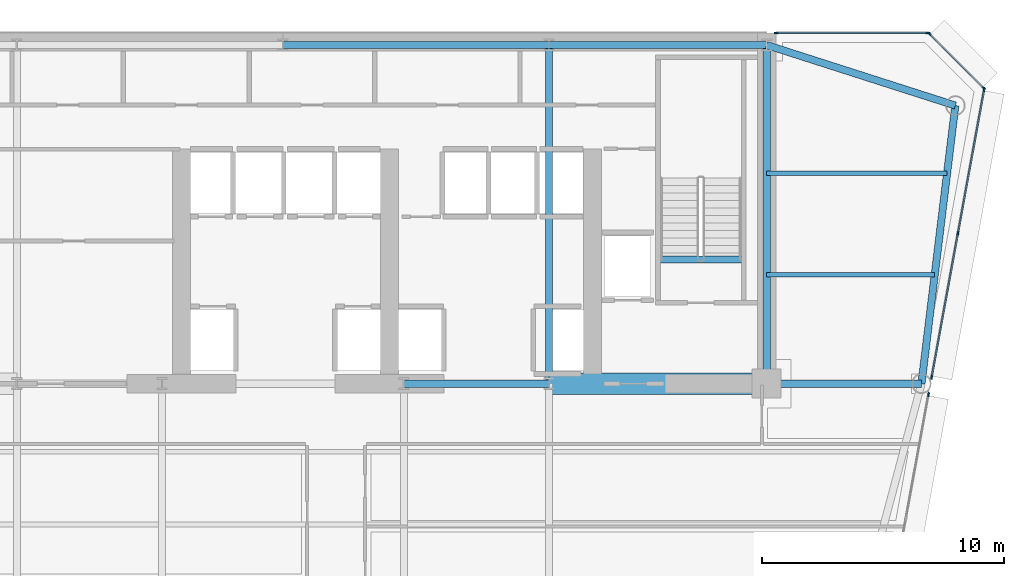
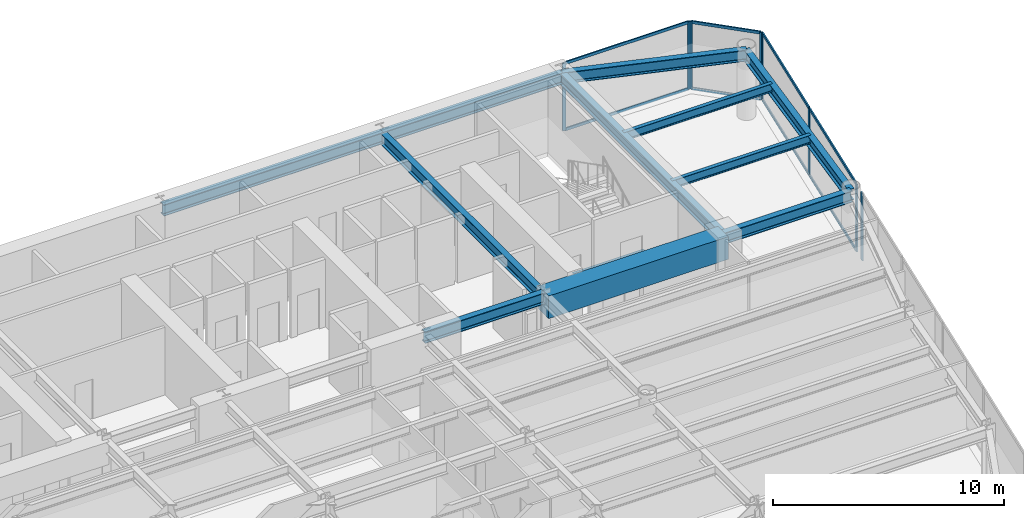
# One storey, part 9 of 17: 16 members, 12 beams, 4 elements without a shape of their own.
"""IFC4 building model written with IfcOpenShell, lengths in metres."""

from ifc_helpers import new_model, si_unit, direction, frame, origin, origin_2d, place, context, subcontext, project, spatial, rectangle, i_section, extrude, source, transform, mapped, material, layer, layer_set, material_profile, profile_set, type_object, element, aggregate, save


model = new_model("IFC4")

# Units and contexts
model_context = context("Model", 3, precision=1e-05, world=origin(), true_north=direction((0.0, 1.0)))
body_context = subcontext(model_context, "Body", "Model", "MODEL_VIEW")
ifc_project = project(units=[si_unit("LENGTHUNIT", "METRE"), si_unit("AREAUNIT", "SQUARE_METRE"), si_unit("VOLUMEUNIT", "CUBIC_METRE"), si_unit("PLANEANGLEUNIT", "RADIAN"), si_unit("MASSUNIT", "GRAM", prefix="KILO")], contexts=[model_context])

# Site, building, storey
site_placement = place(None, origin())
site = spatial("IfcSite", under=ifc_project, at=site_placement, CompositionType="ELEMENT")
building_placement = place(site_placement, origin())
building = spatial("IfcBuilding", under=site, at=building_placement, Name="Vaeldorn Concourse Tower", CompositionType="ELEMENT")
storey_placement = place(building_placement, frame((0.0, 0.0, 157.60009765625)))
storey = spatial("IfcBuildingStorey", under=building, at=storey_placement, Name="L40", CompositionType="ELEMENT", Elevation=157.60009765625)

# Beams
ifc_material_1 = material(Name="Concrete C60/75", Category="concrete")
ifc_material_profile_1 = material_profile(ifc_material_1, rectangle(XDim=0.89990234375, YDim=1.199951171875, at=origin_2d()), Name="RC 900x1200")
ifc_profile_set_1 = profile_set([ifc_material_profile_1], Name="Concrete C60/75")
beam_type_1 = type_object("IfcBeamType", Name="BM-CB-RC900", PredefinedType="BEAM", material=ifc_profile_set_1)
shared_shape_1 = source(origin(), body_context, "Body", "SweptSolid", [
    extrude(rectangle(XDim=0.89990234375, YDim=1.199951171875, at=origin_2d()), origin(), (0.0, 0.0, 1.0), 9.0),
])
beam_1_placement = place(storey_placement, frame((45.0, 36.5, 2.97998046875), z_axis=(1.0, 0.0, 0.0), x_axis=(0.0, 1.0, 0.0)))
element("IfcBeam", 1, at=beam_1_placement, inside=storey, type_object=beam_type_1, Name="Core Coupling Beam L40-2", PredefinedType="BEAM", context=body_context, shape_type="MappedRepresentation", body=[
    mapped(shared_shape_1, transform((0.0, 0.0, 0.0), scale=1.0)),
])
ifc_material_2 = material(Name="Steel S355", Category="steel")
ifc_material_profile_2 = material_profile(ifc_material_2, i_section(OverallWidth=0.300048828125, OverallDepth=0.340087890625, WebThickness=0.011962890625, FlangeThickness=0.021484375, FilletRadius=0.027099609375, at=origin_2d()), Name="HEB 340")
ifc_profile_set_2 = profile_set([ifc_material_profile_2], Name="Steel S355")
beam_type_2 = type_object("IfcBeamType", Name="BM-ST-TRIM", PredefinedType="BEAM", material=ifc_profile_set_2)
shared_shape_2 = source(origin(), body_context, "Body", "SweptSolid", [
    extrude(i_section(OverallWidth=0.300048828125, OverallDepth=0.340087890625, WebThickness=0.011962890625, FlangeThickness=0.021484375, FilletRadius=0.027099609375, at=origin_2d()), origin(), (0.0, 0.0, 1.0), 3.590087890625),
])
beam_2_placement = place(storey_placement, frame((49.47998046875, 41.639892578125, -0.39013671875), z_axis=(1.0, 0.0, 0.0), x_axis=(0.0, 1.0, 0.0)))
element("IfcBeam", 2, at=beam_2_placement, inside=storey, type_object=beam_type_2, Name="Stair Landing Trimmer Beam ST-2 L40", PredefinedType="BEAM", context=body_context, shape_type="MappedRepresentation", body=[
    mapped(shared_shape_2, transform((0.0, 0.0, 0.0), scale=1.0)),
])
ifc_material_profile_3 = material_profile(ifc_material_2, i_section(OverallWidth=0.18994140625, OverallDepth=0.449951171875, WebThickness=0.009521484375, FlangeThickness=0.0146484375, FilletRadius=0.02099609375, at=origin_2d()), Name="IPE 450")
ifc_profile_set_3 = profile_set([ifc_material_profile_3], Name="Steel S355")
beam_type_3 = type_object("IfcBeamType", Name="BM-JS-IPE450", PredefinedType="JOIST", material=ifc_profile_set_3)
shared_shape_3 = source(origin(), body_context, "Body", "SweptSolid", [
    extrude(i_section(OverallWidth=0.18994140625, OverallDepth=0.449951171875, WebThickness=0.009521484375, FlangeThickness=0.0146484375, FilletRadius=0.02099609375, at=origin_2d()), origin(), (0.0, 0.0, 1.0), 6.94775390625),
])
beam_3_placement = place(storey_placement, frame((54.0, 41.0, 3.35498046875), z_axis=(1.0, 0.0, 0.0), x_axis=(0.0, 1.0, 0.0)))
element("IfcBeam", 3, at=beam_3_placement, inside=storey, type_object=beam_type_3, Name="Beam JS-L40-NE-410", PredefinedType="JOIST", context=body_context, shape_type="MappedRepresentation", body=[
    mapped(shared_shape_3, transform((0.0, 0.0, 0.0), scale=1.0)),
])
shared_shape_4 = source(origin(), body_context, "Body", "SweptSolid", [
    extrude(i_section(OverallWidth=0.18994140625, OverallDepth=0.449951171875, WebThickness=0.009521484375, FlangeThickness=0.0146484375, FilletRadius=0.02099609375, at=origin_2d()), origin(), (0.0, 0.0, 1.0), 7.458984375),
])
beam_4_placement = place(storey_placement, frame((54.0, 45.199951171875, 3.35498046875), z_axis=(1.0, 0.0, 0.0), x_axis=(0.0, 1.0, 0.0)))
element("IfcBeam", 4, at=beam_4_placement, inside=storey, type_object=beam_type_3, Name="Beam JS-L40-NE-452", PredefinedType="JOIST", context=body_context, shape_type="MappedRepresentation", body=[
    mapped(shared_shape_4, transform((0.0, 0.0, 0.0), scale=1.0)),
])
ifc_material_profile_4 = material_profile(ifc_material_2, i_section(OverallWidth=0.300048828125, OverallDepth=0.60009765625, WebThickness=0.015380859375, FlangeThickness=0.030029296875, FilletRadius=0.027099609375, at=origin_2d()), Name="HEB 600")
ifc_profile_set_4 = profile_set([ifc_material_profile_4], Name="Steel S355")
beam_type_4 = type_object("IfcBeamType", Name="BM-PG-HEB600", PredefinedType="BEAM", material=ifc_profile_set_4)
shared_shape_5 = source(origin(), body_context, "Body", "SweptSolid", [
    extrude(i_section(OverallWidth=0.300048828125, OverallDepth=0.60009765625, WebThickness=0.015380859375, FlangeThickness=0.030029296875, FilletRadius=0.027099609375, at=origin_2d()), origin(), (0.0, 0.0, 1.0), 6.0),
])
beam_5_placement = place(storey_placement, frame((39.0, 36.5, 3.27978515625), z_axis=(1.0, 0.0, 0.0), x_axis=(0.0, 1.0, 0.0)))
element("IfcBeam", 5, at=beam_5_placement, inside=storey, type_object=beam_type_4, Name="Beam BM-L40-C-FC4-C-FC5", PredefinedType="BEAM", context=body_context, shape_type="MappedRepresentation", body=[
    mapped(shared_shape_5, transform((0.0, 0.0, 0.0), scale=1.0)),
])
shared_shape_6 = source(origin(), body_context, "Body", "SweptSolid", [
    extrude(i_section(OverallWidth=0.300048828125, OverallDepth=0.60009765625, WebThickness=0.015380859375, FlangeThickness=0.030029296875, FilletRadius=0.027099609375, at=origin_2d()), origin(), (0.0, 0.0, 1.0), 9.0),
])
beam_6_placement = place(storey_placement, frame((45.0, 50.5, 3.27978515625), z_axis=(1.0, 0.0, 0.0), x_axis=(0.0, 1.0, 0.0)))
element("IfcBeam", 6, at=beam_6_placement, inside=storey, type_object=beam_type_4, Name="Beam BM-L40-C-HC4-C-HC5", PredefinedType="BEAM", context=body_context, shape_type="MappedRepresentation", body=[
    mapped(shared_shape_6, transform((0.0, 0.0, 0.0), scale=1.0)),
])
shared_shape_7 = source(origin(), body_context, "Body", "SweptSolid", [
    extrude(i_section(OverallWidth=0.300048828125, OverallDepth=0.60009765625, WebThickness=0.015380859375, FlangeThickness=0.030029296875, FilletRadius=0.027099609375, at=origin_2d()), origin(), (0.0, 0.0, 1.0), 11.0),
])
beam_7_placement = place(storey_placement, frame((34.0, 50.5, 3.27978515625), z_axis=(1.0, 0.0, 0.0), x_axis=(0.0, 1.0, 0.0)))
element("IfcBeam", 7, at=beam_7_placement, inside=storey, type_object=beam_type_4, Name="Beam BM-L40-C-HC3-C-HC4", PredefinedType="BEAM", context=body_context, shape_type="MappedRepresentation", body=[
    mapped(shared_shape_7, transform((0.0, 0.0, 0.0), scale=1.0)),
])
shared_shape_8 = source(origin(), body_context, "Body", "SweptSolid", [
    extrude(i_section(OverallWidth=0.300048828125, OverallDepth=0.60009765625, WebThickness=0.015380859375, FlangeThickness=0.030029296875, FilletRadius=0.027099609375, at=origin_2d()), origin(), (0.0, 0.0, 1.0), 14.0),
])
for number, where, z_axis, x_axis, name in (
    (8, (45.0, 36.5, 3.27978515625), (0.0, 1.0, 0.0), (-1.0, 0.0, 0.0), "Beam BM-L40-C-FC5-C-HC4"),
    (9, (54.0, 36.5, 3.27978515625), (0.0, 1.0, 0.0), (-1.0, 0.0, 0.0), "Beam BM-L40-C-FC6-C-HC5"),
):
    element("IfcBeam", number, at=place(storey_placement, frame(where, z_axis=z_axis, x_axis=x_axis)), inside=storey, type_object=beam_type_4, Name=name, PredefinedType="BEAM", context=body_context, shape_type="MappedRepresentation", body=[
        mapped(shared_shape_8, transform((0.0, 0.0, 0.0), scale=1.0)),
    ])
shared_shape_9 = source(origin(), body_context, "Body", "SweptSolid", [
    extrude(i_section(OverallWidth=0.300048828125, OverallDepth=0.60009765625, WebThickness=0.015380859375, FlangeThickness=0.030029296875, FilletRadius=0.027099609375, at=origin_2d()), origin(), (0.0, 0.0, 1.0), 8.19091796875),
])
beam_8_placement = place(storey_placement, frame((54.0, 50.5, 3.27978515625), z_axis=(0.952282843383, -0.305216949396, 0.0), x_axis=(0.305216949396, 0.952282843383, 0.0)))
element("IfcBeam", 10, at=beam_8_placement, inside=storey, type_object=beam_type_4, Name="Beam BM-L40-C-HC5-C-NE1", PredefinedType="BEAM", context=body_context, shape_type="MappedRepresentation", body=[
    mapped(shared_shape_9, transform((0.0, 0.0, 0.0), scale=1.0)),
])
shared_shape_10 = source(origin(), body_context, "Body", "SweptSolid", [
    extrude(i_section(OverallWidth=0.300048828125, OverallDepth=0.60009765625, WebThickness=0.015380859375, FlangeThickness=0.030029296875, FilletRadius=0.027099609375, at=origin_2d()), origin(), (0.0, 0.0, 1.0), 11.5849609375),
])
beam_9_placement = place(storey_placement, frame((61.800048828125, 48.0, 3.27978515625), z_axis=(-0.120859382899, -0.992669637677, 0.0), x_axis=(0.992669637677, -0.120859382899, 0.0)))
element("IfcBeam", 11, at=beam_9_placement, inside=storey, type_object=beam_type_4, Name="Beam BM-L40-C-NE1-C-NE2", PredefinedType="BEAM", context=body_context, shape_type="MappedRepresentation", body=[
    mapped(shared_shape_10, transform((0.0, 0.0, 0.0), scale=1.0)),
])
shared_shape_11 = source(origin(), body_context, "Body", "SweptSolid", [
    extrude(i_section(OverallWidth=0.300048828125, OverallDepth=0.60009765625, WebThickness=0.015380859375, FlangeThickness=0.030029296875, FilletRadius=0.027099609375, at=origin_2d()), origin(), (0.0, 0.0, 1.0), 6.39990234375),
])
beam_10_placement = place(storey_placement, frame((54.0, 36.5, 3.27978515625), z_axis=(1.0, 0.0, 0.0), x_axis=(0.0, 1.0, 0.0)))
element("IfcBeam", 12, at=beam_10_placement, inside=storey, type_object=beam_type_4, Name="Beam BM-L40-C-FC6-C-NE2", PredefinedType="BEAM", context=body_context, shape_type="MappedRepresentation", body=[
    mapped(shared_shape_11, transform((0.0, 0.0, 0.0), scale=1.0)),
])

# Curtain wall, member
ifc_material_3 = material(Name="Anodised Bronze Aluminium", Category="aluminium")
ifc_layer = layer(ifc_material_3, 0.18994140625)
ifc_layer_set = layer_set([ifc_layer], Name="Anodised Bronze Aluminium")
curtain_wall_type = type_object("IfcCurtainWallType", Name="CW-SYS-03", PredefinedType="NOTDEFINED", material=ifc_layer_set)
curtain_wall_1_placement = place(storey_placement, origin())
curtain_wall_1 = element("IfcCurtainWall", 13, at=curtain_wall_1_placement, inside=storey, type_object=curtain_wall_type, Name="Unitised Curtain Wall CW-L40-E07-1", PredefinedType="NOTDEFINED")
ifc_material_profile_5 = material_profile(ifc_material_3, rectangle(XDim=0.06494140625, YDim=0.169921875, at=origin_2d()), Name="CWM 65x170")
ifc_profile_set_5 = profile_set([ifc_material_profile_5], Name="Anodised Bronze Aluminium")
member_type_1 = type_object("IfcMemberType", Name="CWM-BRONZE-170", PredefinedType="MULLION", material=ifc_profile_set_5)
shared_shape_12 = source(origin(), body_context, "Body", "SweptSolid", [
    extrude(rectangle(XDim=0.06494140625, YDim=0.169921875, at=origin_2d()), origin(), (0.0, 0.0, 1.0), 3.579833984375),
])
member_1_placement = place(storey_placement, frame((60.69287109375, 36.051513671875, 0.0), z_axis=(0.0, 0.0, 1.0), x_axis=(-0.983767841325, 0.179445909331, 0.0)))
member_1 = element("IfcMember", 14, at=member_1_placement, type_object=member_type_1, Name="CW-03 mullion 7", PredefinedType="MULLION", context=body_context, shape_type="MappedRepresentation", body=[
    mapped(shared_shape_12, transform((0.0, 0.0, 0.0), scale=1.0)),
])
aggregate(curtain_wall_1, [member_1])

# Curtain wall, members
curtain_wall_2_placement = place(storey_placement, origin())
curtain_wall_2 = element("IfcCurtainWall", 15, at=curtain_wall_2_placement, inside=storey, type_object=curtain_wall_type, Name="Unitised Curtain Wall CW-L40-E07-2", PredefinedType="NOTDEFINED")
member_2_placement = place(storey_placement, frame((60.822265625, 36.761474609375, 0.0), z_axis=(0.0, 0.0, 1.0), x_axis=(-0.983767579285, 0.179447345892, 0.0)))
member_2 = element("IfcMember", 16, at=member_2_placement, type_object=member_type_1, Name="CW-03 mullion 1", PredefinedType="MULLION", context=body_context, shape_type="MappedRepresentation", body=[
    mapped(shared_shape_12, transform((0.0, 0.0, 0.0), scale=1.0)),
])
member_3_placement = place(storey_placement, frame((61.908203125, 42.71484375, 0.0), z_axis=(0.0, 0.0, 1.0), x_axis=(-0.983767579285, 0.179447345892, 0.0)))
member_3 = element("IfcMember", 17, at=member_3_placement, type_object=member_type_1, Name="CW-03 mullion 2", PredefinedType="MULLION", context=body_context, shape_type="MappedRepresentation", body=[
    mapped(shared_shape_12, transform((0.0, 0.0, 0.0), scale=1.0)),
])
member_4_placement = place(storey_placement, frame((62.994140625, 48.66796875, 0.0), z_axis=(0.0, 0.0, 1.0), x_axis=(-0.983767579285, 0.179447345892, 0.0)))
member_4 = element("IfcMember", 18, at=member_4_placement, type_object=member_type_1, Name="CW-03 mullion 3", PredefinedType="MULLION", context=body_context, shape_type="MappedRepresentation", body=[
    mapped(shared_shape_12, transform((0.0, 0.0, 0.0), scale=1.0)),
])

curtain_wall_3_placement = place(storey_placement, origin())
curtain_wall_3 = element("IfcCurtainWall", 19, at=curtain_wall_3_placement, inside=storey, type_object=curtain_wall_type, Name="Unitised Curtain Wall CW-L40-E08-1", PredefinedType="NOTDEFINED")
member_5_placement = place(storey_placement, frame((62.97705078125, 48.722900390625, 0.0), z_axis=(0.0, 0.0, 1.0), x_axis=(-0.707106781187, -0.707106781187, 0.0)))
member_5 = element("IfcMember", 20, at=member_5_placement, type_object=member_type_1, Name="CW-03 mullion 1", PredefinedType="MULLION", context=body_context, shape_type="MappedRepresentation", body=[
    mapped(shared_shape_12, transform((0.0, 0.0, 0.0), scale=1.0)),
])
member_6_placement = place(storey_placement, frame((60.722900390625, 50.97705078125, 0.0), z_axis=(0.0, 0.0, 1.0), x_axis=(-0.707106781187, -0.707106781187, 0.0)))
member_6 = element("IfcMember", 21, at=member_6_placement, type_object=member_type_1, Name="CW-03 mullion 2", PredefinedType="MULLION", context=body_context, shape_type="MappedRepresentation", body=[
    mapped(shared_shape_12, transform((0.0, 0.0, 0.0), scale=1.0)),
])

curtain_wall_4_placement = place(storey_placement, origin())
curtain_wall_4 = element("IfcCurtainWall", 22, at=curtain_wall_4_placement, inside=storey, type_object=curtain_wall_type, Name="Unitised Curtain Wall CW-L40-E09-1", PredefinedType="NOTDEFINED")
member_7_placement = place(storey_placement, frame((60.66748046875, 51.0, 0.0), z_axis=(0.0, 0.0, 1.0), x_axis=(0.0, -1.0, 0.0)))
member_7 = element("IfcMember", 23, at=member_7_placement, type_object=member_type_1, Name="CW-03 mullion 1", PredefinedType="MULLION", context=body_context, shape_type="MappedRepresentation", body=[
    mapped(shared_shape_12, transform((0.0, 0.0, 0.0), scale=1.0)),
])
member_8_placement = place(storey_placement, frame((54.402587890625, 51.0, 0.0), z_axis=(0.0, 0.0, 1.0), x_axis=(0.0, -1.0, 0.0)))
member_8 = element("IfcMember", 24, at=member_8_placement, type_object=member_type_1, Name="CW-03 mullion 2", PredefinedType="MULLION", context=body_context, shape_type="MappedRepresentation", body=[
    mapped(shared_shape_12, transform((0.0, 0.0, 0.0), scale=1.0)),
])

# Member
ifc_material_profile_6 = material_profile(ifc_material_3, rectangle(XDim=0.06494140625, YDim=0.14990234375, at=origin_2d()), Name="CWT 65x150")
ifc_profile_set_6 = profile_set([ifc_material_profile_6], Name="Anodised Bronze Aluminium")
member_type_2 = type_object("IfcMemberType", Name="CWT-BRONZE-150", PredefinedType="USERDEFINED", material=ifc_profile_set_6)
shared_shape_13 = source(origin(), body_context, "Body", "SweptSolid", [
    extrude(rectangle(XDim=0.06494140625, YDim=0.14990234375, at=origin_2d()), origin(), (0.0, 0.0, 1.0), 3.123046875),
])
member_9_placement = place(storey_placement, frame((62.9541015625, 48.745849609375, 0.032470703125), z_axis=(-0.707106781187, 0.707106781187, 0.0), x_axis=(-0.707106781187, -0.707106781187, 0.0)))
member_9 = element("IfcMember", 25, at=member_9_placement, type_object=member_type_2, Name="CW-03 transom 1.1", ObjectType="TRANSOM", PredefinedType="USERDEFINED", context=body_context, shape_type="MappedRepresentation", body=[
    mapped(shared_shape_13, transform((0.0, 0.0, 0.0), scale=1.0)),
])

member_10_placement = place(storey_placement, frame((62.9541015625, 48.745849609375, 3.54736328125), z_axis=(-0.707106781187, 0.707106781187, 0.0), x_axis=(-0.707106781187, -0.707106781187, 0.0)))
member_10 = element("IfcMember", 26, at=member_10_placement, type_object=member_type_2, Name="CW-03 transom 1.2", ObjectType="TRANSOM", PredefinedType="USERDEFINED", context=body_context, shape_type="MappedRepresentation", body=[
    mapped(shared_shape_13, transform((0.0, 0.0, 0.0), scale=1.0)),
])

aggregate(curtain_wall_3, [member_5, member_6, member_9, member_10])

shared_shape_14 = source(origin(), body_context, "Body", "SweptSolid", [
    extrude(rectangle(XDim=0.06494140625, YDim=0.14990234375, at=origin_2d()), origin(), (0.0, 0.0, 1.0), 6.199951171875),
])
member_11_placement = place(storey_placement, frame((60.635009765625, 51.0, 0.032470703125), z_axis=(-1.0, 0.0, 0.0), x_axis=(0.0, -1.0, 0.0)))
member_11 = element("IfcMember", 27, at=member_11_placement, type_object=member_type_2, Name="CW-03 transom 1.1", ObjectType="TRANSOM", PredefinedType="USERDEFINED", context=body_context, shape_type="MappedRepresentation", body=[
    mapped(shared_shape_14, transform((0.0, 0.0, 0.0), scale=1.0)),
])

member_12_placement = place(storey_placement, frame((60.635009765625, 51.0, 3.54736328125), z_axis=(-1.0, 0.0, 0.0), x_axis=(0.0, -1.0, 0.0)))
member_12 = element("IfcMember", 28, at=member_12_placement, type_object=member_type_2, Name="CW-03 transom 1.2", ObjectType="TRANSOM", PredefinedType="USERDEFINED", context=body_context, shape_type="MappedRepresentation", body=[
    mapped(shared_shape_14, transform((0.0, 0.0, 0.0), scale=1.0)),
])

aggregate(curtain_wall_4, [member_7, member_8, member_11, member_12])

shared_shape_15 = source(origin(), body_context, "Body", "SweptSolid", [
    extrude(rectangle(XDim=0.06494140625, YDim=0.14990234375, at=origin_2d()), origin(), (0.0, 0.0, 1.0), 5.986572265625),
])
member_13_placement = place(storey_placement, frame((60.828125, 36.79345703125, 0.032470703125), z_axis=(0.179438079261, 0.98376926955, 0.0), x_axis=(-0.98376926955, 0.179438079261, 0.0)))
member_13 = element("IfcMember", 29, at=member_13_placement, type_object=member_type_2, Name="CW-03 transom 1.1", ObjectType="TRANSOM", PredefinedType="USERDEFINED", context=body_context, shape_type="MappedRepresentation", body=[
    mapped(shared_shape_15, transform((0.0, 0.0, 0.0), scale=1.0)),
])

member_14_placement = place(storey_placement, frame((60.828125, 36.79345703125, 3.54736328125), z_axis=(0.179438079261, 0.98376926955, 0.0), x_axis=(-0.98376926955, 0.179438079261, 0.0)))
member_14 = element("IfcMember", 30, at=member_14_placement, type_object=member_type_2, Name="CW-03 transom 1.2", ObjectType="TRANSOM", PredefinedType="USERDEFINED", context=body_context, shape_type="MappedRepresentation", body=[
    mapped(shared_shape_15, transform((0.0, 0.0, 0.0), scale=1.0)),
])

shared_shape_16 = source(origin(), body_context, "Body", "SweptSolid", [
    extrude(rectangle(XDim=0.06494140625, YDim=0.14990234375, at=origin_2d()), origin(), (0.0, 0.0, 1.0), 5.986328125),
])
member_15_placement = place(storey_placement, frame((61.9140625, 42.746826171875, 0.032470703125), z_axis=(0.179445278506, 0.983767956391, 0.0), x_axis=(-0.983767956391, 0.179445278506, 0.0)))
member_15 = element("IfcMember", 31, at=member_15_placement, type_object=member_type_2, Name="CW-03 transom 2.1", ObjectType="TRANSOM", PredefinedType="USERDEFINED", context=body_context, shape_type="MappedRepresentation", body=[
    mapped(shared_shape_16, transform((0.0, 0.0, 0.0), scale=1.0)),
])

member_16_placement = place(storey_placement, frame((61.9140625, 42.746826171875, 3.54736328125), z_axis=(0.179445278506, 0.983767956391, 0.0), x_axis=(-0.983767956391, 0.179445278506, 0.0)))
member_16 = element("IfcMember", 32, at=member_16_placement, type_object=member_type_2, Name="CW-03 transom 2.2", ObjectType="TRANSOM", PredefinedType="USERDEFINED", context=body_context, shape_type="MappedRepresentation", body=[
    mapped(shared_shape_16, transform((0.0, 0.0, 0.0), scale=1.0)),
])

aggregate(curtain_wall_2, [member_2, member_3, member_4, member_13, member_14, member_15, member_16])

save(model, "model.ifc")
